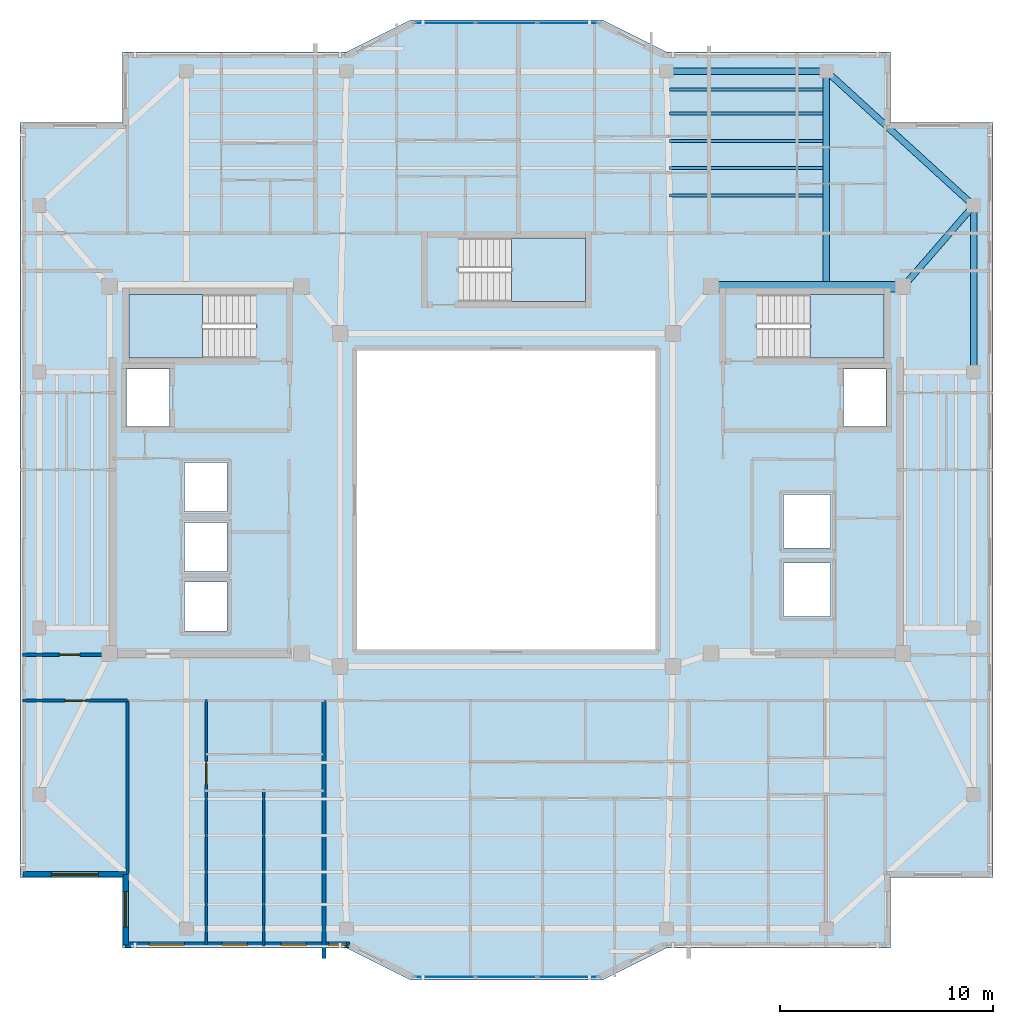
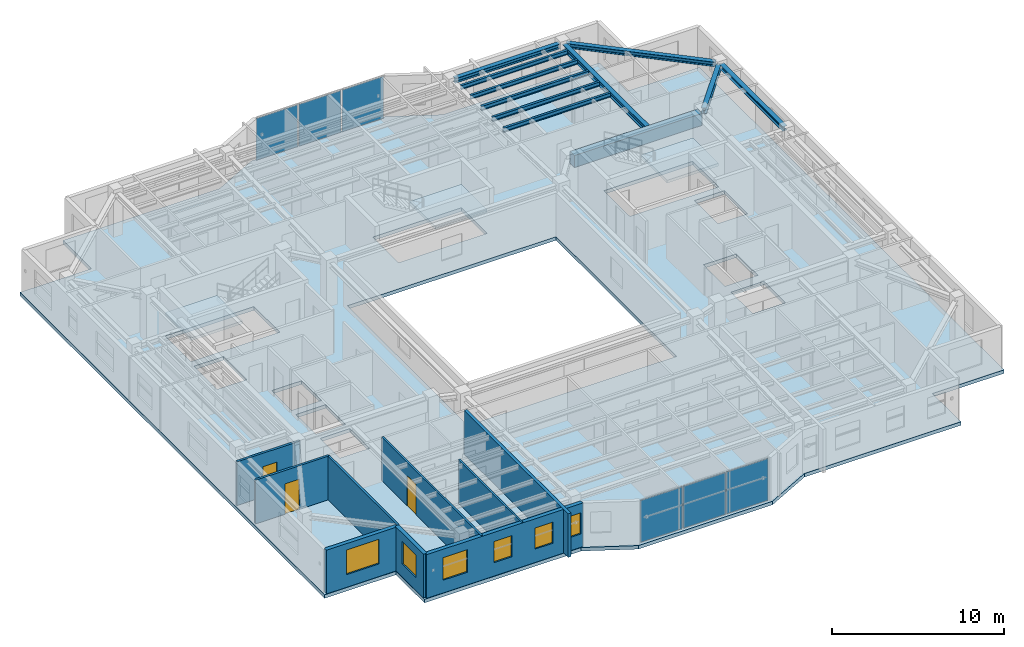
# One storey, part 5 of 15: 11 beams, 9 walls, 6 plates, 6 windows, 4 slabs, 3 doors, 9 openings, 5 elements without a shape of their own.
"""IFC4 building model written with IfcOpenShell, lengths in metres."""

from ifc_helpers import new_model, si_unit, direction, frame, frame_2d, origin, origin_2d, place, context, subcontext, project, spatial, polyline, rectangle, i_section, outline, extrude, material, layer, layer_set, material_profile, profile_set, type_object, element, fill, aggregate, save


model = new_model("IFC4")

# Units and contexts
model_context = context("Model", 3, precision=1e-05, world=origin(), true_north=direction((0.0, 1.0)))
body_context = subcontext(model_context, "Body", "Model", "MODEL_VIEW")
ifc_project = project(units=[si_unit("LENGTHUNIT", "METRE"), si_unit("AREAUNIT", "SQUARE_METRE"), si_unit("VOLUMEUNIT", "CUBIC_METRE"), si_unit("PLANEANGLEUNIT", "RADIAN"), si_unit("MASSUNIT", "GRAM", prefix="KILO")], contexts=[model_context])

# Site, building, storey
site_placement = place(None, origin())
site = spatial("IfcSite", under=ifc_project, at=site_placement, CompositionType="ELEMENT")
building_placement = place(site_placement, origin())
building = spatial("IfcBuilding", under=site, at=building_placement, Name="Tarnavaz Court Tower", CompositionType="ELEMENT")
storey_placement = place(building_placement, frame((0.0, 0.0, 241.5)))
storey = spatial("IfcBuildingStorey", under=building, at=storey_placement, Name="L65", CompositionType="ELEMENT", Elevation=241.5)

# Beams
ifc_material_1 = material(Name="Concrete C50/60", Category="concrete")
ifc_material_profile_1 = material_profile(ifc_material_1, rectangle(XDim=0.5, YDim=0.85009765625, at=origin_2d()), Name="RC 500X850")
ifc_profile_set_1 = profile_set([ifc_material_profile_1], Name="Concrete C50/60")
beam_type_1 = type_object("IfcBeamType", Name="BM-CB850", PredefinedType="LINTEL", material=ifc_profile_set_1)
beam_1_placement = place(storey_placement, frame((18.3798828125, 10.0, 2.675048828125), z_axis=(-1.0, 0.0, 0.0), x_axis=(0.0, -1.0, 0.0)))
element("IfcBeam", 1, at=beam_1_placement, inside=storey, type_object=beam_type_1, Name="L65 Beam IN-CE-NO-CE-NI", PredefinedType="LINTEL", context=body_context, shape_type="SweptSolid", body=[
    extrude(rectangle(XDim=0.5, YDim=0.85009765625, at=origin_2d()), origin(), (0.0, 0.0, 1.0), 8.559814453125),
])
ifc_material_2 = material(Name="Steel S355", Category="steel")
ifc_material_profile_2 = material_profile(ifc_material_2, i_section(OverallWidth=0.300048828125, OverallDepth=0.39990234375, WebThickness=0.013427734375, FlangeThickness=0.02392578125, FilletRadius=0.027099609375, at=origin_2d()), Name="HEB 400")
ifc_profile_set_2 = profile_set([ifc_material_profile_2], Name="Steel S355")
beam_type_2 = type_object("IfcBeamType", Name="BM-G-HEB400", PredefinedType="USERDEFINED", material=ifc_profile_set_2)
beam_2_placement = place(storey_placement, frame((15.0, 10.0400390625, 2.89990234375), z_axis=(0.0, 1.0, 0.0), x_axis=(-1.0, 0.0, 0.0)))
element("IfcBeam", 2, at=beam_2_placement, inside=storey, type_object=beam_type_2, Name="L65 Beam RG-04", ObjectType="GIRDER", PredefinedType="USERDEFINED", context=body_context, shape_type="SweptSolid", body=[
    extrude(i_section(OverallWidth=0.300048828125, OverallDepth=0.39990234375, WebThickness=0.013427734375, FlangeThickness=0.02392578125, FilletRadius=0.027099609375, at=origin_2d()), origin(), (0.0, 0.0, 1.0), 9.83984375),
])
beam_3_placement = place(storey_placement, frame((18.744384765625, 10.166015625, 2.89990234375), z_axis=(0.65565475567, 0.755060819648, 0.0), x_axis=(-0.755060819648, 0.65565475567, 0.0)))
element("IfcBeam", 3, at=beam_3_placement, inside=storey, type_object=beam_type_2, Name="L65 Beam RG-12", ObjectType="GIRDER", PredefinedType="USERDEFINED", context=body_context, shape_type="SweptSolid", body=[
    extrude(i_section(OverallWidth=0.300048828125, OverallDepth=0.39990234375, WebThickness=0.013427734375, FlangeThickness=0.02392578125, FilletRadius=0.027099609375, at=origin_2d()), origin(), (0.0, 0.0, 1.0), 4.5927734375),
])
ifc_material_profile_3 = material_profile(ifc_material_2, i_section(OverallWidth=0.14990234375, OverallDepth=0.300048828125, WebThickness=0.007080078125, FlangeThickness=0.0107421875, FilletRadius=0.014892578125, at=origin_2d()), Name="IPE 300")
ifc_profile_set_3 = profile_set([ifc_material_profile_3], Name="Steel S355")
beam_type_3 = type_object("IfcBeamType", Name="BM-J-IPE300", PredefinedType="JOIST", material=ifc_profile_set_3)
for number, where, z_axis, x_axis, name in (
    (4, (7.64990234375, 14.278076171875, 2.949951171875), (1.0, 0.0, 0.0), (0.0, 1.0, 0.0), "L65 Beam JN1-3"),
    (5, (7.64990234375, 15.555908203125, 2.949951171875), (1.0, 0.0, 0.0), (0.0, 1.0, 0.0), "L65 Beam JN2-3"),
    (6, (7.64990234375, 16.833984375, 2.949951171875), (1.0, 0.0, 0.0), (0.0, 1.0, 0.0), "L65 Beam JN3-3"),
    (7, (7.64990234375, 18.112060546875, 2.949951171875), (1.0, 0.0, 0.0), (0.0, 1.0, 0.0), "L65 Beam JN4-3"),
    (8, (7.64990234375, 19.248046875, 2.949951171875), (1.0, 0.0, 0.0), (0.0, 1.0, 0.0), "L65 Beam JN5-3"),
):
    element("IfcBeam", number, at=place(storey_placement, frame(where, z_axis=z_axis, x_axis=x_axis)), inside=storey, type_object=beam_type_3, Name=name, PredefinedType="JOIST", context=body_context, shape_type="SweptSolid", body=[
        extrude(i_section(OverallWidth=0.14990234375, OverallDepth=0.300048828125, WebThickness=0.007080078125, FlangeThickness=0.0107421875, FilletRadius=0.014892578125, at=origin_2d()), origin(), (0.0, 0.0, 1.0), 7.2001953125),
    ])
ifc_material_profile_4 = material_profile(ifc_material_2, i_section(OverallWidth=0.300048828125, OverallDepth=0.330078125, WebThickness=0.009521484375, FlangeThickness=0.0166015625, FilletRadius=0.027099609375, at=origin_2d()), Name="HEA 340")
ifc_profile_set_4 = profile_set([ifc_material_profile_4], Name="Steel S355")
beam_type_4 = type_object("IfcBeamType", Name="BM-SP-HEA340", PredefinedType="BEAM", material=ifc_profile_set_4)
beam_4_placement = place(storey_placement, frame((7.719970703125, 20.10009765625, 2.93505859375), z_axis=(1.0, 0.0, 0.0), x_axis=(0.0, 1.0, 0.0)))
element("IfcBeam", 9, at=beam_4_placement, inside=storey, type_object=beam_type_4, Name="L65 Beam PR-PN-3-PN-4", PredefinedType="BEAM", context=body_context, shape_type="SweptSolid", body=[
    extrude(i_section(OverallWidth=0.300048828125, OverallDepth=0.330078125, WebThickness=0.009521484375, FlangeThickness=0.0166015625, FilletRadius=0.027099609375, at=origin_2d()), origin(), (0.0, 0.0, 1.0), 7.06005859375),
])
beam_5_placement = place(storey_placement, frame((21.89990234375, 6.219970703125, 2.93505859375), z_axis=(0.0, 1.0, 0.0), x_axis=(-1.0, 0.0, 0.0)))
element("IfcBeam", 10, at=beam_5_placement, inside=storey, type_object=beam_type_4, Name="L65 Beam PR-PE-3-PE-4", PredefinedType="BEAM", context=body_context, shape_type="SweptSolid", body=[
    extrude(i_section(OverallWidth=0.300048828125, OverallDepth=0.330078125, WebThickness=0.009521484375, FlangeThickness=0.0166015625, FilletRadius=0.027099609375, at=origin_2d()), origin(), (0.0, 0.0, 1.0), 7.360107421875),
])
beam_6_placement = place(storey_placement, frame((15.16259765625, 19.95166015625, 2.93505859375), z_axis=(0.738474214476, -0.674281717499, 0.0), x_axis=(0.674281717499, 0.738474214476, 0.0)))
element("IfcBeam", 11, at=beam_6_placement, inside=storey, type_object=beam_type_4, Name="L65 Beam PR-PN-4-PE-4", PredefinedType="BEAM", context=body_context, shape_type="SweptSolid", body=[
    extrude(i_section(OverallWidth=0.300048828125, OverallDepth=0.330078125, WebThickness=0.009521484375, FlangeThickness=0.0166015625, FilletRadius=0.027099609375, at=origin_2d()), origin(), (0.0, 0.0, 1.0), 8.9033203125),
])

# Curtain wall, plates
ifc_material_3 = material(Name="Anodised Aluminium 6063-T6 and Solar Low-E Glazing", Category="aluminium")
ifc_layer_1 = layer(ifc_material_3, 0.159912109375)
ifc_layer_set_1 = layer_set([ifc_layer_1], Name="Anodised Aluminium 6063-T6 and Solar Low-E Glazing")
curtain_wall_type = type_object("IfcCurtainWallType", Name="CW-SYS-03", PredefinedType="NOTDEFINED", material=ifc_layer_set_1)
curtain_wall_1_placement = place(storey_placement, origin())
curtain_wall_1 = element("IfcCurtainWall", 12, at=curtain_wall_1_placement, inside=storey, type_object=curtain_wall_type, Name="L65 Iwan Prow Curtain Wall 7", PredefinedType="NOTDEFINED")
ifc_material_4 = material(Name="Double-Glazed Solar Low-E Glass", Category="glass")
ifc_layer_2 = layer(ifc_material_4, 0.028076171875)
ifc_layer_set_2 = layer_set([ifc_layer_2], Name="Double-Glazed Solar Low-E Glass")
plate_type = type_object("IfcPlateType", Name="CW-PAN-GLZ28", PredefinedType="CURTAIN_PANEL", material=ifc_layer_set_2)
plate_1_placement = place(storey_placement, frame((-2.88134765625, 22.35009765625, 0.06494140625), z_axis=(0.0, 0.0, 1.0), x_axis=(1.0, 0.0, 0.0)))
plate_1 = element("IfcPlate", 13, at=plate_1_placement, type_object=plate_type, Name="CW panel 1.1", PredefinedType="CURTAIN_PANEL", context=body_context, shape_type="SweptSolid", body=[
    extrude(rectangle(XDim=2.78759765625, YDim=0.028076171875, at=origin_2d()), origin(), (0.0, 0.0, 1.0), 2.969970703125),
])
plate_2_placement = place(storey_placement, frame((0.0, 22.35009765625, 0.06494140625), z_axis=(0.0, 0.0, 1.0), x_axis=(1.0, 0.0, 0.0)))
plate_2 = element("IfcPlate", 14, at=plate_2_placement, type_object=plate_type, Name="CW panel 2.1", PredefinedType="CURTAIN_PANEL", context=body_context, shape_type="SweptSolid", body=[
    extrude(rectangle(XDim=2.824951171875, YDim=0.028076171875, at=origin_2d()), origin(), (0.0, 0.0, 1.0), 2.969970703125),
])
plate_3_placement = place(storey_placement, frame((2.88134765625, 22.35009765625, 0.06494140625), z_axis=(0.0, 0.0, 1.0), x_axis=(1.0, 0.0, 0.0)))
plate_3 = element("IfcPlate", 15, at=plate_3_placement, type_object=plate_type, Name="CW panel 3.1", PredefinedType="CURTAIN_PANEL", context=body_context, shape_type="SweptSolid", body=[
    extrude(rectangle(XDim=2.78759765625, YDim=0.028076171875, at=origin_2d()), origin(), (0.0, 0.0, 1.0), 2.969970703125),
])
aggregate(curtain_wall_1, [plate_1, plate_2, plate_3])

curtain_wall_2_placement = place(storey_placement, origin())
curtain_wall_2 = element("IfcCurtainWall", 16, at=curtain_wall_2_placement, inside=storey, type_object=curtain_wall_type, Name="L65 Iwan Prow Curtain Wall 17", PredefinedType="NOTDEFINED")
plate_4_placement = place(storey_placement, frame((2.88134765625, -22.35009765625, 0.06494140625), z_axis=(0.0, 0.0, 1.0), x_axis=(-1.0, 0.0, 0.0)))
plate_4 = element("IfcPlate", 17, at=plate_4_placement, type_object=plate_type, Name="CW panel 1.1", PredefinedType="CURTAIN_PANEL", context=body_context, shape_type="SweptSolid", body=[
    extrude(rectangle(XDim=2.78759765625, YDim=0.028076171875, at=origin_2d()), origin(), (0.0, 0.0, 1.0), 2.969970703125),
])
plate_5_placement = place(storey_placement, frame((0.0, -22.35009765625, 0.06494140625), z_axis=(0.0, 0.0, 1.0), x_axis=(-1.0, 0.0, 0.0)))
plate_5 = element("IfcPlate", 18, at=plate_5_placement, type_object=plate_type, Name="CW panel 2.1", PredefinedType="CURTAIN_PANEL", context=body_context, shape_type="SweptSolid", body=[
    extrude(rectangle(XDim=2.824951171875, YDim=0.028076171875, at=origin_2d()), origin(), (0.0, 0.0, 1.0), 2.969970703125),
])
plate_6_placement = place(storey_placement, frame((-2.88134765625, -22.35009765625, 0.06494140625), z_axis=(0.0, 0.0, 1.0), x_axis=(-1.0, 0.0, 0.0)))
plate_6 = element("IfcPlate", 19, at=plate_6_placement, type_object=plate_type, Name="CW panel 3.1", PredefinedType="CURTAIN_PANEL", context=body_context, shape_type="SweptSolid", body=[
    extrude(rectangle(XDim=2.78759765625, YDim=0.028076171875, at=origin_2d()), origin(), (0.0, 0.0, 1.0), 2.969970703125),
])
aggregate(curtain_wall_2, [plate_4, plate_5, plate_6])

# Stair, slab
ifc_material_5 = material(Name="Concrete C40/50", Category="concrete")
stair_type = type_object("IfcStairType", Name="ST-TWR-20R", PredefinedType="HALF_TURN_STAIR", material=ifc_material_5)
stair_1_placement = place(storey_placement, origin())
stair_1 = element("IfcStair", 20, at=stair_1_placement, inside=storey, type_object=stair_type, Name="L65 West Core Pressurized Exit Stair ST-W1", PredefinedType="HALF_TURN_STAIR")
ifc_layer_3 = layer(ifc_material_5, 0.199951171875)
ifc_layer_set_3 = layer_set([ifc_layer_3], Name="Concrete C40/50")
slab_type_1 = type_object("IfcSlabType", Name="SL-LAND-200", PredefinedType="LANDING", material=ifc_layer_set_3)
slab_1_placement = place(storey_placement, frame((0.0, 0.0, 1.47509765625)))
slab_1 = element("IfcSlab", 21, at=slab_1_placement, type_object=slab_type_1, Name="ST-W1 landing 1", PredefinedType="LANDING", context=body_context, shape_type="SweptSolid", body=[
    extrude(outline(polyline([(-14.239990234375, 9.639892578125), (-17.699951171875, 9.639892578125), (-17.699951171875, 6.64990234375), (-14.239990234375, 6.64990234375), (-14.239990234375, 9.639892578125)])), origin(), (0.0, 0.0, 1.0), 0.199951171875),
])
aggregate(stair_1, [slab_1])

stair_2_placement = place(storey_placement, origin())
stair_2 = element("IfcStair", 22, at=stair_2_placement, inside=storey, type_object=stair_type, Name="L65 East Core Pressurized Exit Stair ST-E1", PredefinedType="HALF_TURN_STAIR")
slab_2_placement = place(storey_placement, frame((0.0, 0.0, 1.47509765625)))
slab_2 = element("IfcSlab", 23, at=slab_2_placement, type_object=slab_type_1, Name="ST-E1 landing 1", PredefinedType="LANDING", context=body_context, shape_type="SweptSolid", body=[
    extrude(outline(polyline([(14.239990234375, 6.64990234375), (17.699951171875, 6.64990234375), (17.699951171875, 9.639892578125), (14.239990234375, 9.639892578125), (14.239990234375, 6.64990234375)])), origin(), (0.0, 0.0, 1.0), 0.199951171875),
])
aggregate(stair_2, [slab_2])

stair_3_placement = place(storey_placement, origin())
stair_3 = element("IfcStair", 24, at=stair_3_placement, inside=storey, type_object=stair_type, Name="L65 North Ring Pressurized Exit Stair ST-N1", PredefinedType="HALF_TURN_STAIR")
slab_3_placement = place(storey_placement, frame((0.0, 0.0, 1.47509765625)))
slab_3 = element("IfcSlab", 25, at=slab_3_placement, type_object=slab_type_1, Name="ST-N1 landing 1", PredefinedType="LANDING", context=body_context, shape_type="SweptSolid", body=[
    extrude(outline(polyline([(0.239990234375, 9.300048828125), (3.699951171875, 9.300048828125), (3.699951171875, 12.2900390625), (0.239990234375, 12.2900390625), (0.239990234375, 9.300048828125)])), origin(), (0.0, 0.0, 1.0), 0.199951171875),
])
aggregate(stair_3, [slab_3])

# Slab
ifc_layer_4 = layer(ifc_material_5, 0.25)
ifc_layer_set_4 = layer_set([ifc_layer_4], Name="Concrete C40/50")
slab_type_2 = type_object("IfcSlabType", Name="SL-RES-250", PredefinedType="FLOOR", material=ifc_layer_set_4)
slab_4_placement = place(storey_placement, frame((0.0, 0.0, -0.25)))
element("IfcSlab", 26, at=slab_4_placement, inside=storey, type_object=slab_type_2, Name="L65 Structural Floor Slab", PredefinedType="FLOOR", context=body_context, shape_type="SweptSolid", body=[
    extrude(outline(polyline([(-18.0, -21.0), (-7.5, -21.0), (-4.5, -22.5), (4.5, -22.5), (7.5, -21.0), (18.0, -21.0), (18.0, -17.699951171875), (22.800048828125, -17.699951171875), (22.800048828125, 17.699951171875), (18.0, 17.699951171875), (18.0, 21.0), (7.5, 21.0), (4.5, 22.5), (-4.5, 22.5), (-7.5, 21.0), (-18.0, 21.0), (-18.0, 17.699951171875), (-22.800048828125, 17.699951171875), (-22.800048828125, -17.699951171875), (-18.0, -17.699951171875), (-18.0, -21.0)]), holes=[polyline([(-7.0, -7.0), (7.0, -7.0), (7.0, 7.0), (-7.0, 7.0), (-7.0, -7.0)]), polyline([(-11.7451171875, 9.639892578125), (-17.699951171875, 9.639892578125), (-17.699951171875, 6.64990234375), (-11.7451171875, 6.64990234375), (-11.7451171875, 9.639892578125)]), polyline([(11.7451171875, 6.64990234375), (17.699951171875, 6.64990234375), (17.699951171875, 9.639892578125), (11.7451171875, 9.639892578125), (11.7451171875, 6.64990234375)]), polyline([(-2.2548828125, 9.300048828125), (3.699951171875, 9.300048828125), (3.699951171875, 12.2900390625), (-2.2548828125, 12.2900390625), (-2.2548828125, 9.300048828125)]), polyline([(-17.800048828125, 3.449951171875), (-15.800048828125, 3.449951171875), (-15.800048828125, 6.14990234375), (-17.800048828125, 6.14990234375), (-17.800048828125, 3.449951171875)]), polyline([(-15.10009765625, -6.14990234375), (-13.10009765625, -6.14990234375), (-13.10009765625, -3.85009765625), (-15.10009765625, -3.85009765625), (-15.10009765625, -6.14990234375)]), polyline([(-15.10009765625, -3.35009765625), (-13.10009765625, -3.35009765625), (-13.10009765625, -1.050048828125), (-15.10009765625, -1.050048828125), (-15.10009765625, -3.35009765625)]), polyline([(-15.10009765625, -0.550048828125), (-13.10009765625, -0.550048828125), (-13.10009765625, 1.75), (-15.10009765625, 1.75), (-15.10009765625, -0.550048828125)]), polyline([(15.800048828125, 3.449951171875), (17.800048828125, 3.449951171875), (17.800048828125, 6.14990234375), (15.800048828125, 6.14990234375), (15.800048828125, 3.449951171875)]), polyline([(13.0, -5.449951171875), (15.199951171875, -5.449951171875), (15.199951171875, -2.949951171875), (13.0, -2.949951171875), (13.0, -5.449951171875)]), polyline([(13.0, -2.25), (15.199951171875, -2.25), (15.199951171875, 0.25), (13.0, 0.25), (13.0, -2.25)])]), origin(), (0.0, 0.0, 1.0), 0.25),
])

# Wall, opening, window
ifc_material_6 = material(Name="Precast Concrete C40/50", Category="concrete")
ifc_layer_5 = layer(ifc_material_6, 0.260009765625)
ifc_layer_set_5 = layer_set([ifc_layer_5], Name="Precast Concrete C40/50")
wall_type_1 = type_object("IfcWallType", Name="WL-EXT-260", PredefinedType="SOLIDWALL", material=ifc_layer_set_5)
wall_1_placement = place(storey_placement, frame((-17.85009765625, -17.550048828125, 0.0), z_axis=(0.0, 0.0, 1.0), x_axis=(-1.0, 0.0, 0.0)))
wall_1 = element("IfcWall", 27, at=wall_1_placement, inside=storey, type_object=wall_type_1, Name="L65 Exterior Terracotta Facade Wall 01", PredefinedType="SOLIDWALL", context=body_context, shape_type="SweptSolid", body=[
    extrude(rectangle(XDim=4.7998046875, YDim=0.260009765625, at=frame_2d((2.39990234375, 0.0))), origin(), (0.0, 0.0, 1.0), 3.10009765625),
])
opening_1_placement = place(wall_1_placement, frame((1.274658203125, 0.0, 0.89990234375)))
opening_1 = element("IfcOpeningElement", 28, at=opening_1_placement, cuts=wall_1, Name="Opening W07", PredefinedType="OPENING", context=body_context, shape_type="SweptSolid", body=[
    extrude(rectangle(XDim=2.199951171875, YDim=1.75, at=frame_2d((1.10009765625, 0.875))), frame((0.0, 0.139892578125, 0.0), z_axis=(0.0, -1.0, 0.0), x_axis=(1.0, 0.0, 0.0)), (0.0, 0.0, 1.0), 0.280029296875),
])
window_type_1 = type_object("IfcWindowType", Name="WN-APT-2200", PartitioningType="TRIPLE_PANEL_VERTICAL", PredefinedType="WINDOW", material=ifc_material_4)
window_1_placement = place(opening_1_placement, origin())
window_1 = element("IfcWindow", 29, at=window_1_placement, inside=storey, type_object=window_type_1, Name="L65 South-West Corner Reading Room Window", OverallHeight=1.75, OverallWidth=2.199951171875, PartitioningType="SINGLE_PANEL", PredefinedType="WINDOW", context=body_context, shape_type="SweptSolid", body=[
    extrude(rectangle(XDim=2.199951171875, YDim=1.75, at=frame_2d((1.10009765625, 0.875))), frame((0.0, 0.030029296875, 0.0), z_axis=(0.0, -1.0, 0.0), x_axis=(1.0, 0.0, 0.0)), (0.0, 0.0, 1.0), 0.06005859375),
])
fill(opening_1, window_1)

# Wall, openings, windows
wall_2_placement = place(storey_placement, frame((-7.35009765625, -20.85009765625, 0.0), z_axis=(0.0, 0.0, 1.0), x_axis=(-1.0, 0.0, 0.0)))
wall_2 = element("IfcWall", 30, at=wall_2_placement, inside=storey, type_object=wall_type_1, Name="L65 Exterior Terracotta Facade Wall 19", PredefinedType="SOLIDWALL", context=body_context, shape_type="SweptSolid", body=[
    extrude(rectangle(XDim=10.5, YDim=0.260009765625, at=frame_2d((5.25, 0.0))), origin(), (0.0, 0.0, 1.0), 3.10009765625),
])
opening_2_placement = place(wall_2_placement, frame((0.14501953125, 0.0, 0.949951171875)))
opening_2 = element("IfcOpeningElement", 31, at=opening_2_placement, cuts=wall_2, Name="Opening W15", PredefinedType="OPENING", context=body_context, shape_type="SweptSolid", body=[
    extrude(rectangle(XDim=0.85009765625, YDim=1.5, at=frame_2d((0.425048828125, 0.75))), frame((0.0, 0.139892578125, 0.0), z_axis=(0.0, -1.0, 0.0), x_axis=(1.0, 0.0, 0.0)), (0.0, 0.0, 1.0), 0.280029296875),
])
opening_3_placement = place(wall_2_placement, frame((2.02490234375, 0.0, 0.949951171875)))
opening_3 = element("IfcOpeningElement", 32, at=opening_3_placement, cuts=wall_2, Name="Opening W05", PredefinedType="OPENING", context=body_context, shape_type="SweptSolid", body=[
    extrude(rectangle(XDim=1.199951171875, YDim=1.5, at=frame_2d((0.60009765625, 0.75))), frame((0.0, 0.139892578125, 0.0), z_axis=(0.0, -1.0, 0.0), x_axis=(1.0, 0.0, 0.0)), (0.0, 0.0, 1.0), 0.280029296875),
])
opening_4_placement = place(wall_2_placement, frame((4.77490234375, 0.0, 0.949951171875)))
opening_4 = element("IfcOpeningElement", 33, at=opening_4_placement, cuts=wall_2, Name="Opening W05", PredefinedType="OPENING", context=body_context, shape_type="SweptSolid", body=[
    extrude(rectangle(XDim=1.199951171875, YDim=1.5, at=frame_2d((0.60009765625, 0.75))), frame((0.0, 0.139892578125, 0.0), z_axis=(0.0, -1.0, 0.0), x_axis=(1.0, 0.0, 0.0)), (0.0, 0.0, 1.0), 0.280029296875),
])
opening_5_placement = place(wall_2_placement, frame((7.75, 0.0, 0.89990234375)))
opening_5 = element("IfcOpeningElement", 34, at=opening_5_placement, cuts=wall_2, Name="Opening W02", PredefinedType="OPENING", context=body_context, shape_type="SweptSolid", body=[
    extrude(rectangle(XDim=1.64990234375, YDim=1.60009765625, at=frame_2d((0.824951171875, 0.800048828125))), frame((0.0, 0.139892578125, 0.0), z_axis=(0.0, -1.0, 0.0), x_axis=(1.0, 0.0, 0.0)), (0.0, 0.0, 1.0), 0.280029296875),
])
window_type_2 = type_object("IfcWindowType", Name="WN-APT-1200", PartitioningType="SINGLE_PANEL", PredefinedType="WINDOW", material=ifc_material_4)
window_2_placement = place(opening_3_placement, origin())
window_2 = element("IfcWindow", 35, at=window_2_placement, inside=storey, type_object=window_type_2, Name="L65 Flat 05 Bedroom 2 Window", OverallHeight=1.5, OverallWidth=1.199951171875, PartitioningType="SINGLE_PANEL", PredefinedType="WINDOW", context=body_context, shape_type="SweptSolid", body=[
    extrude(rectangle(XDim=1.199951171875, YDim=1.5, at=frame_2d((0.60009765625, 0.75))), frame((0.0, 0.030029296875, 0.0), z_axis=(0.0, -1.0, 0.0), x_axis=(1.0, 0.0, 0.0)), (0.0, 0.0, 1.0), 0.06005859375),
])
fill(opening_3, window_2)
window_3_placement = place(opening_4_placement, origin())
window_3 = element("IfcWindow", 36, at=window_3_placement, inside=storey, type_object=window_type_2, Name="L65 Flat 05 Principal Bedroom Window", OverallHeight=1.5, OverallWidth=1.199951171875, PartitioningType="SINGLE_PANEL", PredefinedType="WINDOW", context=body_context, shape_type="SweptSolid", body=[
    extrude(rectangle(XDim=1.199951171875, YDim=1.5, at=frame_2d((0.60009765625, 0.75))), frame((0.0, 0.030029296875, 0.0), z_axis=(0.0, -1.0, 0.0), x_axis=(1.0, 0.0, 0.0)), (0.0, 0.0, 1.0), 0.06005859375),
])
fill(opening_4, window_3)
window_type_3 = type_object("IfcWindowType", Name="WN-APT-1650", PartitioningType="DOUBLE_PANEL_VERTICAL", PredefinedType="WINDOW", material=ifc_material_4)
window_4_placement = place(opening_5_placement, origin())
window_4 = element("IfcWindow", 37, at=window_4_placement, inside=storey, type_object=window_type_3, Name="L65 Flat 05 Living and Dining Room Window", OverallHeight=1.60009765625, OverallWidth=1.64990234375, PartitioningType="SINGLE_PANEL", PredefinedType="WINDOW", context=body_context, shape_type="SweptSolid", body=[
    extrude(rectangle(XDim=1.64990234375, YDim=1.60009765625, at=frame_2d((0.824951171875, 0.800048828125))), frame((0.0, 0.030029296875, 0.0), z_axis=(0.0, -1.0, 0.0), x_axis=(1.0, 0.0, 0.0)), (0.0, 0.0, 1.0), 0.06005859375),
])
fill(opening_5, window_4)
window_type_4 = type_object("IfcWindowType", Name="WN-APT-850", PartitioningType="SINGLE_PANEL", PredefinedType="WINDOW", material=ifc_material_4)
window_5_placement = place(opening_2_placement, origin())
window_5 = element("IfcWindow", 38, at=window_5_placement, inside=storey, type_object=window_type_4, Name="L65 Flat 07 Living and Dining Room Window", OverallHeight=1.5, OverallWidth=0.85009765625, PartitioningType="SINGLE_PANEL", PredefinedType="WINDOW", context=body_context, shape_type="SweptSolid", body=[
    extrude(rectangle(XDim=0.85009765625, YDim=1.5, at=frame_2d((0.425048828125, 0.75))), frame((0.0, 0.030029296875, 0.0), z_axis=(0.0, -1.0, 0.0), x_axis=(1.0, 0.0, 0.0)), (0.0, 0.0, 1.0), 0.06005859375),
])
fill(opening_2, window_5)

# Wall, opening, window
wall_3_placement = place(storey_placement, frame((-17.85009765625, -20.85009765625, 0.0), z_axis=(0.0, 0.0, 1.0), x_axis=(0.0, 1.0, 0.0)))
wall_3 = element("IfcWall", 39, at=wall_3_placement, inside=storey, type_object=wall_type_1, Name="L65 Exterior Terracotta Facade Wall 20", PredefinedType="SOLIDWALL", context=body_context, shape_type="SweptSolid", body=[
    extrude(rectangle(XDim=3.300048828125, YDim=0.260009765625, at=frame_2d((1.64990234375, 0.0))), origin(), (0.0, 0.0, 1.0), 3.10009765625),
])
opening_6_placement = place(wall_3_placement, frame((0.842529296875, 0.0, 0.89990234375)))
opening_6 = element("IfcOpeningElement", 40, at=opening_6_placement, cuts=wall_3, Name="Opening W02", PredefinedType="OPENING", context=body_context, shape_type="SweptSolid", body=[
    extrude(rectangle(XDim=1.64990234375, YDim=1.60009765625, at=frame_2d((0.824951171875, 0.800048828125))), frame((0.0, 0.139892578125, 0.0), z_axis=(0.0, -1.0, 0.0), x_axis=(1.0, 0.0, 0.0)), (0.0, 0.0, 1.0), 0.280029296875),
])
window_6_placement = place(opening_6_placement, origin())
window_6 = element("IfcWindow", 41, at=window_6_placement, inside=storey, type_object=window_type_3, Name="L65 Flat 05 Living and Dining Room Window", OverallHeight=1.60009765625, OverallWidth=1.64990234375, PartitioningType="SINGLE_PANEL", PredefinedType="WINDOW", context=body_context, shape_type="SweptSolid", body=[
    extrude(rectangle(XDim=1.64990234375, YDim=1.60009765625, at=frame_2d((0.824951171875, 0.800048828125))), frame((0.0, 0.030029296875, 0.0), z_axis=(0.0, -1.0, 0.0), x_axis=(1.0, 0.0, 0.0)), (0.0, 0.0, 1.0), 0.06005859375),
])
fill(opening_6, window_6)

# Wall, opening, door
ifc_material_7 = material(Name="Gypsum Fire-Board on Acoustic Metal Stud", Category="masonry")
ifc_layer_6 = layer(ifc_material_7, 0.14990234375)
ifc_layer_set_6 = layer_set([ifc_layer_6], Name="Gypsum Fire-Board on Acoustic Metal Stud")
wall_type_2 = type_object("IfcWallType", Name="WL-FIRE-150", PredefinedType="PARTITIONING", material=ifc_layer_set_6)
wall_4_placement = place(storey_placement, frame((-22.679931640625, -7.25, 0.0), z_axis=(0.0, 0.0, 1.0), x_axis=(1.0, 0.0, 0.0)))
wall_4 = element("IfcWall", 42, at=wall_4_placement, inside=storey, type_object=wall_type_2, Name="L65 Interior Partition 111", PredefinedType="PARTITIONING", context=body_context, shape_type="SweptSolid", body=[
    extrude(rectangle(XDim=4.22998046875, YDim=0.14990234375, at=frame_2d((2.114990234375, 0.0))), origin(), (0.0, 0.0, 1.0), 3.10009765625),
])
opening_7_placement = place(wall_4_placement, frame((1.72998046875, 0.0, 0.0)))
opening_7 = element("IfcOpeningElement", 43, at=opening_7_placement, cuts=wall_4, Name="Opening D06", PredefinedType="OPENING", context=body_context, shape_type="SweptSolid", body=[
    extrude(rectangle(XDim=0.9599609375, YDim=2.14990234375, at=frame_2d((0.47998046875, 1.074951171875))), frame((0.0, 0.0849609375, 0.0), z_axis=(0.0, -1.0, 0.0), x_axis=(1.0, 0.0, 0.0)), (0.0, 0.0, 1.0), 0.169921875),
])
ifc_material_8 = material(Name="Fire-Rated Hardwood Timber Core", Category="wood")
door_type_1 = type_object("IfcDoorType", Name="DR-FD60-950", OperationType="NOTDEFINED", PredefinedType="DOOR", material=ifc_material_8)
door_1_placement = place(opening_7_placement, origin())
door_1 = element("IfcDoor", 44, at=door_1_placement, inside=storey, type_object=door_type_1, Name="L65 Flat 08 Entrance Door", OperationType="SINGLE_SWING_LEFT", OverallHeight=2.14990234375, OverallWidth=0.9599609375, PredefinedType="DOOR", context=body_context, shape_type="SweptSolid", body=[
    extrude(rectangle(XDim=0.9599609375, YDim=2.14990234375, at=frame_2d((0.47998046875, 1.074951171875))), frame((0.0, 0.02490234375, 0.0), z_axis=(0.0, -1.0, 0.0), x_axis=(1.0, 0.0, 0.0)), (0.0, 0.0, 1.0), 0.050048828125),
])
fill(opening_7, door_1)

wall_5_placement = place(storey_placement, frame((-22.679931640625, -9.39990234375, 0.0), z_axis=(0.0, 0.0, 1.0), x_axis=(1.0, 0.0, 0.0)))
wall_5 = element("IfcWall", 45, at=wall_5_placement, inside=storey, type_object=wall_type_2, Name="L65 Interior Partition 121", PredefinedType="PARTITIONING", context=body_context, shape_type="SweptSolid", body=[
    extrude(rectangle(XDim=4.929931640625, YDim=0.14990234375, at=frame_2d((2.46484375, 0.0))), origin(), (0.0, 0.0, 1.0), 3.10009765625),
])
opening_8_placement = place(wall_5_placement, frame((1.989990234375, 0.0, 0.0)))
opening_8 = element("IfcOpeningElement", 46, at=opening_8_placement, cuts=wall_5, Name="Opening D13", PredefinedType="OPENING", context=body_context, shape_type="SweptSolid", body=[
    extrude(rectangle(XDim=0.949951171875, YDim=2.14990234375, at=frame_2d((0.47509765625, 1.074951171875))), frame((0.0, 0.0849609375, 0.0), z_axis=(0.0, -1.0, 0.0), x_axis=(1.0, 0.0, 0.0)), (0.0, 0.0, 1.0), 0.169921875),
])
ifc_material_9 = material(Name="Engineered Oak Timber", Category="wood")
door_type_2 = type_object("IfcDoorType", Name="DR-INT-950", OperationType="NOTDEFINED", PredefinedType="DOOR", material=ifc_material_9)
door_2_placement = place(opening_8_placement, origin())
door_2 = element("IfcDoor", 47, at=door_2_placement, inside=storey, type_object=door_type_2, Name="L65 SW Reading Room Door", OperationType="SINGLE_SWING_LEFT", OverallHeight=2.14990234375, OverallWidth=0.949951171875, PredefinedType="DOOR", context=body_context, shape_type="SweptSolid", body=[
    extrude(rectangle(XDim=0.949951171875, YDim=2.14990234375, at=frame_2d((0.47509765625, 1.074951171875))), frame((0.0, 0.02490234375, 0.0), z_axis=(0.0, -1.0, 0.0), x_axis=(1.0, 0.0, 0.0)), (0.0, 0.0, 1.0), 0.050048828125),
])
fill(opening_8, door_2)

# Wall
ifc_material_10 = material(Name="Autoclaved Aerated Concrete Blockwork", Category="masonry")
ifc_layer_7 = layer(ifc_material_10, 0.199951171875)
ifc_layer_set_7 = layer_set([ifc_layer_7], Name="Autoclaved Aerated Concrete Blockwork")
wall_type_3 = type_object("IfcWallType", Name="WL-FIRE-200", PredefinedType="SOLIDWALL", material=ifc_layer_set_7)
wall_6_placement = place(storey_placement, frame((-8.550048828125, -21.50390625, 0.0), z_axis=(0.0, 0.0, 1.0), x_axis=(0.0, 1.0, 0.0)))
element("IfcWall", 48, at=wall_6_placement, inside=storey, type_object=wall_type_3, Name="L65 Party Wall 101", PredefinedType="SOLIDWALL", context=body_context, shape_type="SweptSolid", body=[
    extrude(rectangle(XDim=12.10400390625, YDim=0.199951171875, at=frame_2d((6.052001953125, 0.0))), origin(), (0.0, 0.0, 1.0), 3.10009765625),
])

# Wall, opening, door
ifc_material_11 = material(Name="Moisture-Resistant Gypsum Board Partition", Category="masonry")
ifc_layer_8 = layer(ifc_material_11, 0.1201171875)
ifc_layer_set_8 = layer_set([ifc_layer_8], Name="Moisture-Resistant Gypsum Board Partition")
wall_type_4 = type_object("IfcWallType", Name="WL-PART-120", PredefinedType="PARTITIONING", material=ifc_layer_set_8)
wall_7_placement = place(storey_placement, frame((-14.077880859375, -20.89990234375, 0.0), z_axis=(0.0, 0.0, 1.0), x_axis=(0.0, 1.0, 0.0)))
wall_7 = element("IfcWall", 49, at=wall_7_placement, inside=storey, type_object=wall_type_4, Name="L65 Interior Partition 089", PredefinedType="PARTITIONING", context=body_context, shape_type="SweptSolid", body=[
    extrude(rectangle(XDim=11.559814453125, YDim=0.1201171875, at=frame_2d((5.77978515625, 0.0))), origin(), (0.0, 0.0, 1.0), 3.10009765625),
])
opening_9_placement = place(wall_7_placement, frame((7.56494140625, 0.0, 0.0)))
opening_9 = element("IfcOpeningElement", 50, at=opening_9_placement, cuts=wall_7, Name="Opening D12", PredefinedType="OPENING", context=body_context, shape_type="SweptSolid", body=[
    extrude(rectangle(XDim=1.080078125, YDim=2.14990234375, at=frame_2d((0.5400390625, 1.074951171875))), frame((0.0, 0.070068359375, 0.0), z_axis=(0.0, -1.0, 0.0), x_axis=(1.0, 0.0, 0.0)), (0.0, 0.0, 1.0), 0.14013671875),
])
door_type_3 = type_object("IfcDoorType", Name="DR-INT-1100", OperationType="NOTDEFINED", PredefinedType="DOOR", material=ifc_material_9)
door_3_placement = place(opening_9_placement, origin())
door_3 = element("IfcDoor", 51, at=door_3_placement, inside=storey, type_object=door_type_3, Name="L65 Flat 05 Foyer Door", OperationType="SINGLE_SWING_LEFT", OverallHeight=2.14990234375, OverallWidth=1.080078125, PredefinedType="DOOR", context=body_context, shape_type="SweptSolid", body=[
    extrude(rectangle(XDim=1.080078125, YDim=2.14990234375, at=frame_2d((0.5400390625, 1.074951171875))), frame((0.0, 0.02490234375, 0.0), z_axis=(0.0, -1.0, 0.0), x_axis=(1.0, 0.0, 0.0)), (0.0, 0.0, 1.0), 0.050048828125),
])
fill(opening_9, door_3)

# Walls
wall_8_placement = place(storey_placement, frame((-11.368896484375, -20.89990234375, 0.0), z_axis=(0.0, 0.0, 1.0), x_axis=(0.0, 1.0, 0.0)))
element("IfcWall", 52, at=wall_8_placement, inside=storey, type_object=wall_type_4, Name="L65 Interior Partition 094", PredefinedType="PARTITIONING", context=body_context, shape_type="SweptSolid", body=[
    extrude(rectangle(XDim=7.33984375, YDim=0.1201171875, at=frame_2d((3.669921875, 0.0))), origin(), (0.0, 0.0, 1.0), 3.10009765625),
])
ifc_material_12 = material(Name="Gypsum Plasterboard Acoustic Partition", Category="masonry")
ifc_layer_9 = layer(ifc_material_12, 0.139892578125)
ifc_layer_set_9 = layer_set([ifc_layer_9], Name="Gypsum Plasterboard Acoustic Partition")
wall_type_5 = type_object("IfcWallType", Name="WL-PART-150", PredefinedType="PARTITIONING", material=ifc_layer_set_9)
wall_9_placement = place(storey_placement, frame((-17.75, -17.550048828125, 0.0), z_axis=(0.0, 0.0, 1.0), x_axis=(0.0, 1.0, 0.0)))
element("IfcWall", 53, at=wall_9_placement, inside=storey, type_object=wall_type_5, Name="L65 Interior Partition 115", PredefinedType="PARTITIONING", context=body_context, shape_type="SweptSolid", body=[
    extrude(rectangle(XDim=8.150146484375, YDim=0.139892578125, at=frame_2d((4.0751953125, 0.0))), origin(), (0.0, 0.0, 1.0), 3.10009765625),
])

save(model, "model.ifc")
